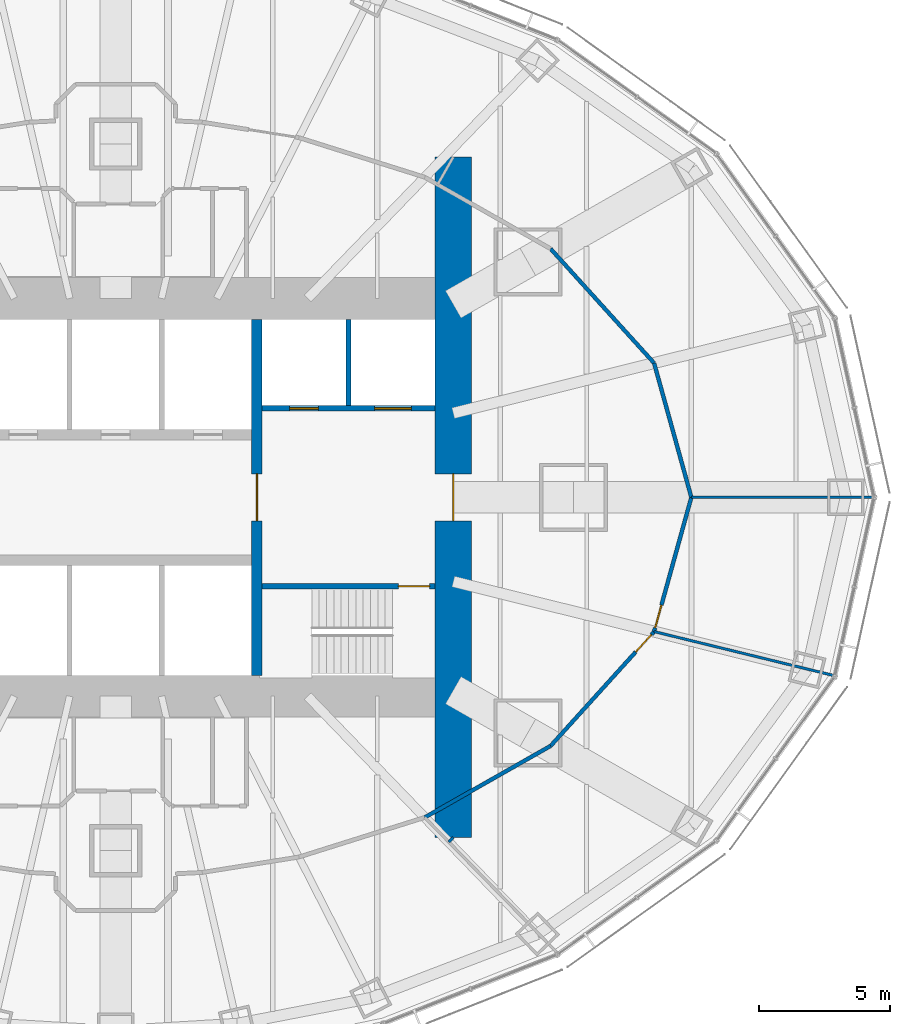
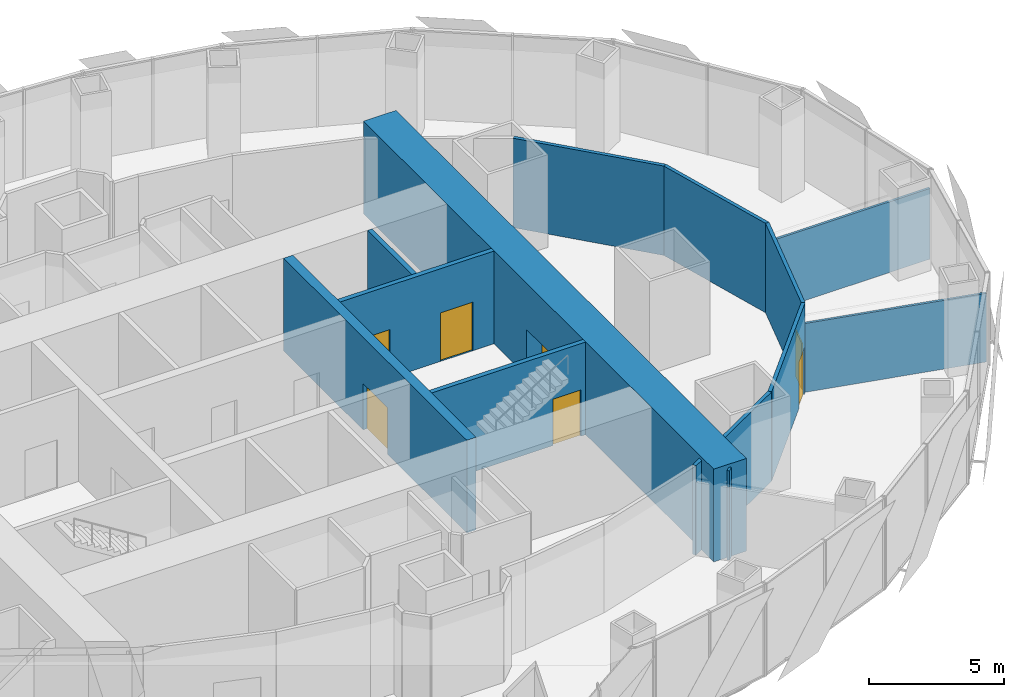
# One storey, part 12 of 17: 13 walls, 7 doors, 7 openings.
"""IFC4 building model written with IfcOpenShell, lengths in metres."""

from ifc_helpers import new_model, si_unit, direction, frame, frame_2d, origin, place, context, subcontext, project, spatial, rectangle, extrude, material, layer, layer_set, type_object, element, fill, save


model = new_model("IFC4")

# Units and contexts
model_context = context("Model", 3, precision=1e-05, world=origin(), true_north=direction((0.0, 1.0)))
body_context = subcontext(model_context, "Body", "Model", "MODEL_VIEW")
ifc_project = project(units=[si_unit("LENGTHUNIT", "METRE"), si_unit("AREAUNIT", "SQUARE_METRE"), si_unit("VOLUMEUNIT", "CUBIC_METRE"), si_unit("PLANEANGLEUNIT", "RADIAN"), si_unit("MASSUNIT", "GRAM", prefix="KILO")], contexts=[model_context])

# Site, building, storey
site_placement = place(None, origin())
site = spatial("IfcSite", under=ifc_project, at=site_placement, CompositionType="ELEMENT")
building_placement = place(site_placement, origin())
building = spatial("IfcBuilding", under=site, at=building_placement, Name="Lantaw Convention Tower", CompositionType="ELEMENT")
storey_placement = place(building_placement, frame((0.0, 0.0, 117.39990234375)))
storey = spatial("IfcBuildingStorey", under=building, at=storey_placement, Name="L27", CompositionType="ELEMENT", Elevation=117.39990234375)

# Wall, opening, door
ifc_material_1 = material(Name="Concrete C60/75", Category="concrete")
ifc_layer_1 = layer(ifc_material_1, 1.39990234375)
ifc_layer_set_1 = layer_set([ifc_layer_1], Name="Core wall 1400")
wall_type_1 = type_object("IfcWallType", Name="Core wall 1400", PredefinedType="SHEAR", material=ifc_layer_set_1)
wall_1_placement = place(storey_placement, frame((12.89990234375, -13.0, 0.0), z_axis=(0.0, 0.0, 1.0), x_axis=(0.0, 1.0, 0.0)))
wall_1 = element("IfcWall", 1, at=wall_1_placement, inside=storey, type_object=wall_type_1, Name="Core wall E", PredefinedType="SHEAR", context=body_context, shape_type="SweptSolid", body=[
    extrude(rectangle(XDim=26.0, YDim=1.39990234375, at=frame_2d((13.0, 0.0))), origin(), (0.0, 0.0, 1.0), 4.2001953125),
])
opening_1_placement = place(wall_1_placement, frame((12.10009765625, 0.0, 0.0)))
opening_1 = element("IfcOpeningElement", 2, at=opening_1_placement, cuts=wall_1, Name="Opening L27.05", PredefinedType="OPENING", context=body_context, shape_type="SweptSolid", body=[
    extrude(rectangle(XDim=1.800048828125, YDim=2.10009765625, at=frame_2d((0.89990234375, 1.050048828125))), frame((0.0, 0.7099609375, 0.0), z_axis=(0.0, -1.0, 0.0), x_axis=(1.0, 0.0, 0.0)), (0.0, 0.0, 1.0), 1.419921875),
])
ifc_material_2 = material(Name="Steel, fire rated", Category="steel")
door_type_1 = type_object("IfcDoorType", Name="Lobby double door FD90", OperationType="DOUBLE_DOOR_DOUBLE_SWING", PredefinedType="DOOR", material=ifc_material_2)
door_1_placement = place(opening_1_placement, origin())
door_1 = element("IfcDoor", 3, at=door_1_placement, inside=storey, type_object=door_type_1, Name="Firefighting lobby door", OperationType="DOUBLE_DOOR_DOUBLE_SWING", OverallHeight=2.10009765625, OverallWidth=1.800048828125, PredefinedType="DOOR", context=body_context, shape_type="SweptSolid", body=[
    extrude(rectangle(XDim=1.800048828125, YDim=2.10009765625, at=frame_2d((0.89990234375, 1.050048828125))), frame((0.0, 0.02490234375, 0.0), z_axis=(0.0, -1.0, 0.0), x_axis=(1.0, 0.0, 0.0)), (0.0, 0.0, 1.0), 0.050048828125),
])
fill(opening_1, door_1)

ifc_layer_2 = layer(ifc_material_1, 0.199951171875)
ifc_layer_set_2 = layer_set([ifc_layer_2], Name="Core wall 200")
wall_type_2 = type_object("IfcWallType", Name="Core wall 200", PredefinedType="SHEAR", material=ifc_layer_set_2)
wall_2_placement = place(storey_placement, frame((5.60009765625, -3.39990234375, 0.0), z_axis=(0.0, 0.0, 1.0), x_axis=(1.0, 0.0, 0.0)))
wall_2 = element("IfcWall", 4, at=wall_2_placement, inside=storey, type_object=wall_type_2, Name="Core wall ES", PredefinedType="SHEAR", context=body_context, shape_type="SweptSolid", body=[
    extrude(rectangle(XDim=6.599853515625, YDim=0.199951171875, at=frame_2d((3.2998046875, 0.0))), origin(), (0.0, 0.0, 1.0), 4.2001953125),
])
opening_2_placement = place(wall_2_placement, frame((5.199951171875, 0.0, 0.0)))
opening_2 = element("IfcOpeningElement", 5, at=opening_2_placement, cuts=wall_2, Name="Opening L27.03", PredefinedType="OPENING", context=body_context, shape_type="SweptSolid", body=[
    extrude(rectangle(XDim=1.199951171875, YDim=2.10009765625, at=frame_2d((0.60009765625, 1.050048828125))), frame((0.0, 0.10986328125, 0.0), z_axis=(0.0, -1.0, 0.0), x_axis=(1.0, 0.0, 0.0)), (0.0, 0.0, 1.0), 0.219970703125),
])
door_type_2 = type_object("IfcDoorType", Name="Stair door FD90", OperationType="SINGLE_SWING_RIGHT", PredefinedType="DOOR", material=ifc_material_2)
door_2_placement = place(opening_2_placement, origin())
door_2 = element("IfcDoor", 6, at=door_2_placement, inside=storey, type_object=door_type_2, Name="Exit stair door", OperationType="SINGLE_SWING_RIGHT", OverallHeight=2.10009765625, OverallWidth=1.199951171875, PredefinedType="DOOR", context=body_context, shape_type="SweptSolid", body=[
    extrude(rectangle(XDim=1.199951171875, YDim=2.10009765625, at=frame_2d((0.60009765625, 1.050048828125))), frame((0.0, 0.02490234375, 0.0), z_axis=(0.0, -1.0, 0.0), x_axis=(1.0, 0.0, 0.0)), (0.0, 0.0, 1.0), 0.050048828125),
])
fill(opening_2, door_2)

ifc_layer_3 = layer(ifc_material_1, 0.39990234375)
ifc_layer_set_3 = layer_set([ifc_layer_3], Name="Core wall 400")
wall_type_3 = type_object("IfcWallType", Name="Core wall 400", PredefinedType="SHEAR", material=ifc_layer_set_3)
wall_3_placement = place(storey_placement, frame((5.39990234375, -6.800048828125, 0.0), z_axis=(0.0, 0.0, 1.0), x_axis=(0.0, 1.0, 0.0)))
wall_3 = element("IfcWall", 7, at=wall_3_placement, inside=storey, type_object=wall_type_3, Name="Core wall XE", PredefinedType="SHEAR", context=body_context, shape_type="SweptSolid", body=[
    extrude(rectangle(XDim=13.60009765625, YDim=0.39990234375, at=frame_2d((6.800048828125, 0.0))), origin(), (0.0, 0.0, 1.0), 4.2001953125),
])
opening_3_placement = place(wall_3_placement, frame((5.89990234375, 0.0, 0.0)))
opening_3 = element("IfcOpeningElement", 8, at=opening_3_placement, cuts=wall_3, Name="Opening L27.01", PredefinedType="OPENING", context=body_context, shape_type="SweptSolid", body=[
    extrude(rectangle(XDim=1.800048828125, YDim=2.10009765625, at=frame_2d((0.89990234375, 1.050048828125))), frame((0.0, 0.2099609375, 0.0), z_axis=(0.0, -1.0, 0.0), x_axis=(1.0, 0.0, 0.0)), (0.0, 0.0, 1.0), 0.419921875),
])
door_3_placement = place(opening_3_placement, origin())
door_3 = element("IfcDoor", 9, at=door_3_placement, inside=storey, type_object=door_type_1, Name="Lift lobby door", OperationType="DOUBLE_DOOR_DOUBLE_SWING", OverallHeight=2.10009765625, OverallWidth=1.800048828125, PredefinedType="DOOR", context=body_context, shape_type="SweptSolid", body=[
    extrude(rectangle(XDim=1.800048828125, YDim=2.10009765625, at=frame_2d((0.89990234375, 1.050048828125))), frame((0.0, 0.02490234375, 0.0), z_axis=(0.0, -1.0, 0.0), x_axis=(1.0, 0.0, 0.0)), (0.0, 0.0, 1.0), 0.050048828125),
])
fill(opening_3, door_3)

# Walls
ifc_material_3 = material(Name="Gypsum board on steel studs, fire rated", Category="steel")
ifc_layer_4 = layer(ifc_material_3, 0.14990234375)
ifc_layer_set_4 = layer_set([ifc_layer_4], Name="Corridor wall 150 EI 60")
wall_type_4 = type_object("IfcWallType", Name="Corridor wall 150 EI 60", PredefinedType="PARTITIONING", material=ifc_layer_set_4)
wall_4_placement = place(storey_placement, frame((22.0, 0.0, 0.0), z_axis=(0.0, 0.0, 1.0), x_axis=(-0.267293817428, 0.963615076244, 0.0)))
element("IfcWall", 10, at=wall_4_placement, inside=storey, type_object=wall_type_4, Name="Corridor wall 150", PredefinedType="PARTITIONING", context=body_context, shape_type="SweptSolid", body=[
    extrude(rectangle(XDim=5.323974609375, YDim=0.14990234375, at=frame_2d((2.662109375, 0.0))), origin(), (0.0, 0.0, 1.0), 4.050048828125),
])
wall_5_placement = place(storey_placement, frame((20.576904296875, 5.13037109375, 0.0), z_axis=(0.0, 0.0, 1.0), x_axis=(-0.671118353743, 0.741350224435, 0.0)))
element("IfcWall", 11, at=wall_5_placement, inside=storey, type_object=wall_type_4, Name="Corridor wall 150", PredefinedType="PARTITIONING", context=body_context, shape_type="SweptSolid", body=[
    extrude(rectangle(XDim=5.89208984375, YDim=0.14990234375, at=frame_2d((2.946044921875, 0.0))), origin(), (0.0, 0.0, 1.0), 4.050048828125),
])
wall_6_placement = place(storey_placement, frame((11.812744140625, -12.232421875, 0.0), z_axis=(0.0, 0.0, 1.0), x_axis=(0.869375991036, 0.494151177485, 0.0)))
element("IfcWall", 12, at=wall_6_placement, inside=storey, type_object=wall_type_4, Name="Corridor wall 150", PredefinedType="PARTITIONING", context=body_context, shape_type="SweptSolid", body=[
    extrude(rectangle(XDim=5.532470703125, YDim=0.14990234375, at=frame_2d((2.76611328125, 0.0))), origin(), (0.0, 0.0, 1.0), 4.050048828125),
])

# Wall, opening, door
wall_7_placement = place(storey_placement, frame((16.62255859375, -9.49853515625, 0.0), z_axis=(0.0, 0.0, 1.0), x_axis=(0.671118353743, 0.741350224435, 0.0)))
wall_7 = element("IfcWall", 13, at=wall_7_placement, inside=storey, type_object=wall_type_4, Name="Corridor wall 150", PredefinedType="PARTITIONING", context=body_context, shape_type="SweptSolid", body=[
    extrude(rectangle(XDim=5.89208984375, YDim=0.14990234375, at=frame_2d((2.946044921875, 0.0))), origin(), (0.0, 0.0, 1.0), 4.050048828125),
])
opening_4_placement = place(wall_7_placement, frame((4.84228515625, 0.0, 0.0)))
opening_4 = element("IfcOpeningElement", 14, at=opening_4_placement, cuts=wall_7, Name="Opening L27.28", PredefinedType="OPENING", context=body_context, shape_type="SweptSolid", body=[
    extrude(rectangle(XDim=0.89990234375, YDim=2.10009765625, at=frame_2d((0.449951171875, 1.050048828125))), frame((0.0, 0.0849609375, 0.0), z_axis=(0.0, -1.0, 0.0), x_axis=(1.0, 0.0, 0.0)), (0.0, 0.0, 1.0), 0.169921875),
])
door_type_3 = type_object("IfcDoorType", Name="Office door 900 FD30", OperationType="SINGLE_SWING_LEFT", PredefinedType="DOOR", material=ifc_material_2)
door_4_placement = place(opening_4_placement, origin())
door_4 = element("IfcDoor", 15, at=door_4_placement, inside=storey, type_object=door_type_3, Name="Training room door", OperationType="SINGLE_SWING_LEFT", OverallHeight=2.10009765625, OverallWidth=0.89990234375, PredefinedType="DOOR", context=body_context, shape_type="SweptSolid", body=[
    extrude(rectangle(XDim=0.89990234375, YDim=2.10009765625, at=frame_2d((0.449951171875, 1.050048828125))), frame((0.0, 0.02490234375, 0.0), z_axis=(0.0, -1.0, 0.0), x_axis=(1.0, 0.0, 0.0)), (0.0, 0.0, 1.0), 0.050048828125),
])
fill(opening_4, door_4)

wall_8_placement = place(storey_placement, frame((20.576904296875, -5.13037109375, 0.0), z_axis=(0.0, 0.0, 1.0), x_axis=(0.267293817428, 0.963615076244, 0.0)))
wall_8 = element("IfcWall", 16, at=wall_8_placement, inside=storey, type_object=wall_type_4, Name="Corridor wall 150", PredefinedType="PARTITIONING", context=body_context, shape_type="SweptSolid", body=[
    extrude(rectangle(XDim=5.323974609375, YDim=0.14990234375, at=frame_2d((2.662109375, 0.0))), origin(), (0.0, 0.0, 1.0), 4.050048828125),
])
opening_5_placement = place(wall_8_placement, frame((0.14990234375, 0.0, 0.0)))
opening_5 = element("IfcOpeningElement", 17, at=opening_5_placement, cuts=wall_8, Name="Opening L27.29", PredefinedType="OPENING", context=body_context, shape_type="SweptSolid", body=[
    extrude(rectangle(XDim=0.89990234375, YDim=2.10009765625, at=frame_2d((0.449951171875, 1.050048828125))), frame((0.0, 0.0849609375, 0.0), z_axis=(0.0, -1.0, 0.0), x_axis=(1.0, 0.0, 0.0)), (0.0, 0.0, 1.0), 0.169921875),
])
door_5_placement = place(opening_5_placement, origin())
door_5 = element("IfcDoor", 18, at=door_5_placement, inside=storey, type_object=door_type_3, Name="Nap room door", OperationType="SINGLE_SWING_LEFT", OverallHeight=2.10009765625, OverallWidth=0.89990234375, PredefinedType="DOOR", context=body_context, shape_type="SweptSolid", body=[
    extrude(rectangle(XDim=0.89990234375, YDim=2.10009765625, at=frame_2d((0.449951171875, 1.050048828125))), frame((0.0, 0.02490234375, 0.0), z_axis=(0.0, -1.0, 0.0), x_axis=(1.0, 0.0, 0.0)), (0.0, 0.0, 1.0), 0.050048828125),
])
fill(opening_5, door_5)

# Walls
ifc_material_4 = material(Name="Gypsum board on steel studs, acoustic", Category="steel")
ifc_layer_5 = layer(ifc_material_4, 0.10009765625)
ifc_layer_set_5 = layer_set([ifc_layer_5], Name="Office partition 100")
wall_type_5 = type_object("IfcWallType", Name="Office partition 100", PredefinedType="PARTITIONING", material=ifc_layer_set_5)
wall_9_placement = place(storey_placement, frame((28.944091796875, 0.0, 0.0), z_axis=(0.0, 0.0, 1.0), x_axis=(-1.0, 0.0, 0.0)))
element("IfcWall", 19, at=wall_9_placement, inside=storey, type_object=wall_type_5, Name="Office partition 100", PredefinedType="PARTITIONING", context=body_context, shape_type="SweptSolid", body=[
    extrude(rectangle(XDim=6.944091796875, YDim=0.10009765625, at=frame_2d((3.47216796875, 0.0))), origin(), (0.0, 0.0, 1.0), 3.204345703125),
])
wall_10_placement = place(storey_placement, frame((27.440673828125, -6.808837890625, 0.0), z_axis=(0.0, 0.0, 1.0), x_axis=(-0.971377572955, 0.237540755996, 0.0)))
element("IfcWall", 20, at=wall_10_placement, inside=storey, type_object=wall_type_5, Name="Office partition 100", PredefinedType="PARTITIONING", context=body_context, shape_type="SweptSolid", body=[
    extrude(rectangle(XDim=7.06591796875, YDim=0.10009765625, at=frame_2d((3.532958984375, 0.0))), origin(), (0.0, 0.0, 1.0), 3.11279296875),
])
wall_11_placement = place(storey_placement, frame((12.89990234375, -13.0, 0.0), z_axis=(0.0, 0.0, 1.0), x_axis=(-0.714690391061, -0.699440951707, 0.0)))
element("IfcWall", 21, at=wall_11_placement, inside=storey, type_object=wall_type_5, Name="Office partition 100", PredefinedType="PARTITIONING", context=body_context, shape_type="SweptSolid", body=[
    extrude(rectangle(XDim=0.240234375, YDim=0.10009765625, at=frame_2d((0.1201171875, 0.0))), origin(), (0.0, 0.0, 1.0), 4.050048828125),
])

# Wall, openings, doors
ifc_material_5 = material(Name="Concrete blockwork, fire rated", Category="masonry")
ifc_layer_6 = layer(ifc_material_5, 0.199951171875)
ifc_layer_set_6 = layer_set([ifc_layer_6], Name="Shaft wall 200")
wall_type_6 = type_object("IfcWallType", Name="Shaft wall 200", PredefinedType="SOLIDWALL", material=ifc_layer_set_6)
wall_12_placement = place(storey_placement, frame((12.199951171875, 3.39990234375, 0.0), z_axis=(0.0, 0.0, 1.0), x_axis=(-1.0, 0.0, 0.0)))
wall_12 = element("IfcWall", 22, at=wall_12_placement, inside=storey, type_object=wall_type_6, Name="Shaft wall EN", PredefinedType="SOLIDWALL", context=body_context, shape_type="SweptSolid", body=[
    extrude(rectangle(XDim=6.599853515625, YDim=0.199951171875, at=frame_2d((3.2998046875, 0.0))), origin(), (0.0, 0.0, 1.0), 4.2001953125),
])
opening_6_placement = place(wall_12_placement, frame((4.449951171875, 0.0, 0.0)))
opening_6 = element("IfcOpeningElement", 23, at=opening_6_placement, cuts=wall_12, Name="Opening L27.12", PredefinedType="OPENING", context=body_context, shape_type="SweptSolid", body=[
    extrude(rectangle(XDim=1.10009765625, YDim=2.199951171875, at=frame_2d((0.550048828125, 1.10009765625))), frame((0.0, 0.10986328125, 0.0), z_axis=(0.0, -1.0, 0.0), x_axis=(1.0, 0.0, 0.0)), (0.0, 0.0, 1.0), 0.219970703125),
])
opening_7_placement = place(wall_12_placement, frame((0.89990234375, 0.0, 0.0)))
opening_7 = element("IfcOpeningElement", 24, at=opening_7_placement, cuts=wall_12, Name="Opening L27.13", PredefinedType="OPENING", context=body_context, shape_type="SweptSolid", body=[
    extrude(rectangle(XDim=1.39990234375, YDim=2.199951171875, at=frame_2d((0.699951171875, 1.10009765625))), frame((0.0, 0.10986328125, 0.0), z_axis=(0.0, -1.0, 0.0), x_axis=(1.0, 0.0, 0.0)), (0.0, 0.0, 1.0), 0.219970703125),
])
ifc_material_6 = material(Name="Stainless steel", Category="steel")
door_type_4 = type_object("IfcDoorType", Name="Lift landing door 1100", OperationType="DOUBLE_DOOR_SLIDING", PredefinedType="DOOR", material=ifc_material_6)
door_6_placement = place(opening_6_placement, origin())
door_6 = element("IfcDoor", 25, at=door_6_placement, inside=storey, type_object=door_type_4, Name="Lift landing door FF2", OperationType="DOUBLE_DOOR_SLIDING", OverallHeight=2.199951171875, OverallWidth=1.10009765625, PredefinedType="DOOR", context=body_context, shape_type="SweptSolid", body=[
    extrude(rectangle(XDim=1.10009765625, YDim=2.199951171875, at=frame_2d((0.550048828125, 1.10009765625))), frame((0.0, 0.02490234375, 0.0), z_axis=(0.0, -1.0, 0.0), x_axis=(1.0, 0.0, 0.0)), (0.0, 0.0, 1.0), 0.050048828125),
])
fill(opening_6, door_6)
door_type_5 = type_object("IfcDoorType", Name="Lift landing door 1400", OperationType="DOUBLE_DOOR_SLIDING", PredefinedType="DOOR", material=ifc_material_6)
door_7_placement = place(opening_7_placement, origin())
door_7 = element("IfcDoor", 26, at=door_7_placement, inside=storey, type_object=door_type_5, Name="Lift landing door SV2", OperationType="DOUBLE_DOOR_SLIDING", OverallHeight=2.199951171875, OverallWidth=1.39990234375, PredefinedType="DOOR", context=body_context, shape_type="SweptSolid", body=[
    extrude(rectangle(XDim=1.39990234375, YDim=2.199951171875, at=frame_2d((0.699951171875, 1.10009765625))), frame((0.0, 0.02490234375, 0.0), z_axis=(0.0, -1.0, 0.0), x_axis=(1.0, 0.0, 0.0)), (0.0, 0.0, 1.0), 0.050048828125),
])
fill(opening_7, door_7)

# Wall
wall_13_placement = place(storey_placement, frame((8.89990234375, 3.5, 0.0), z_axis=(0.0, 0.0, 1.0), x_axis=(0.0, 1.0, 0.0)))
element("IfcWall", 27, at=wall_13_placement, inside=storey, type_object=wall_type_6, Name="Shaft wall ED", PredefinedType="SOLIDWALL", context=body_context, shape_type="SweptSolid", body=[
    extrude(rectangle(XDim=3.300048828125, YDim=0.199951171875, at=frame_2d((1.64990234375, 0.0))), origin(), (0.0, 0.0, 1.0), 4.2001953125),
])

save(model, "model.ifc")
